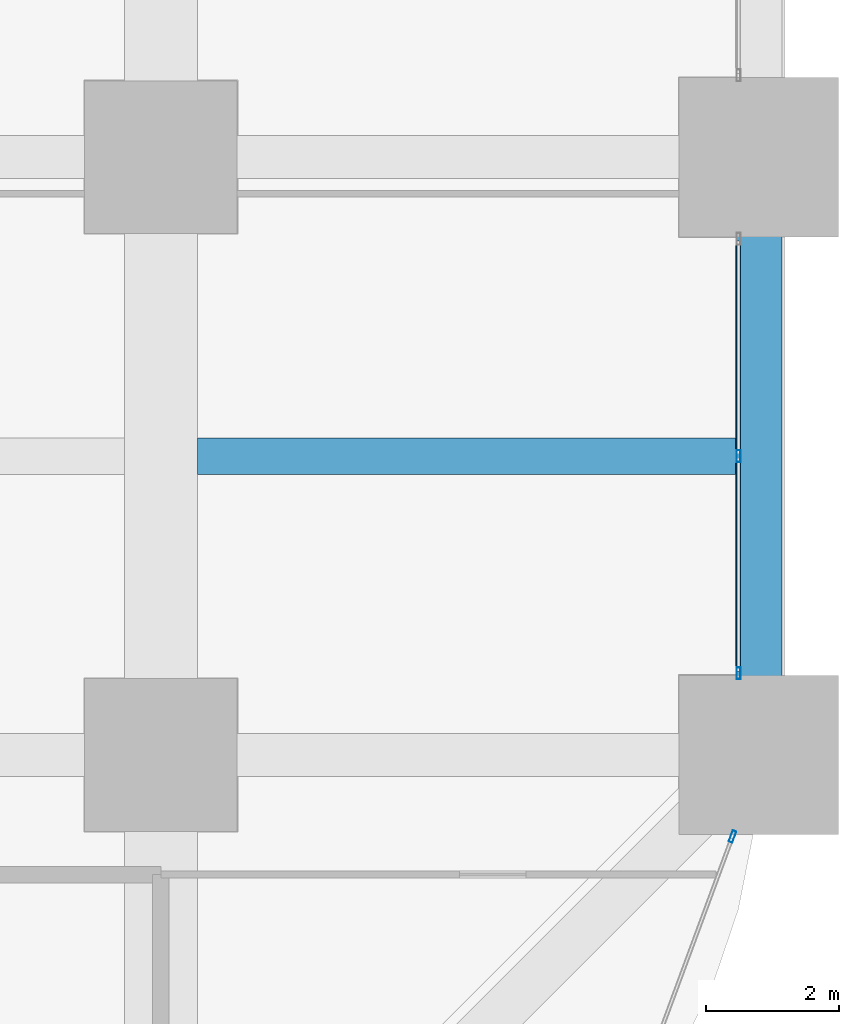
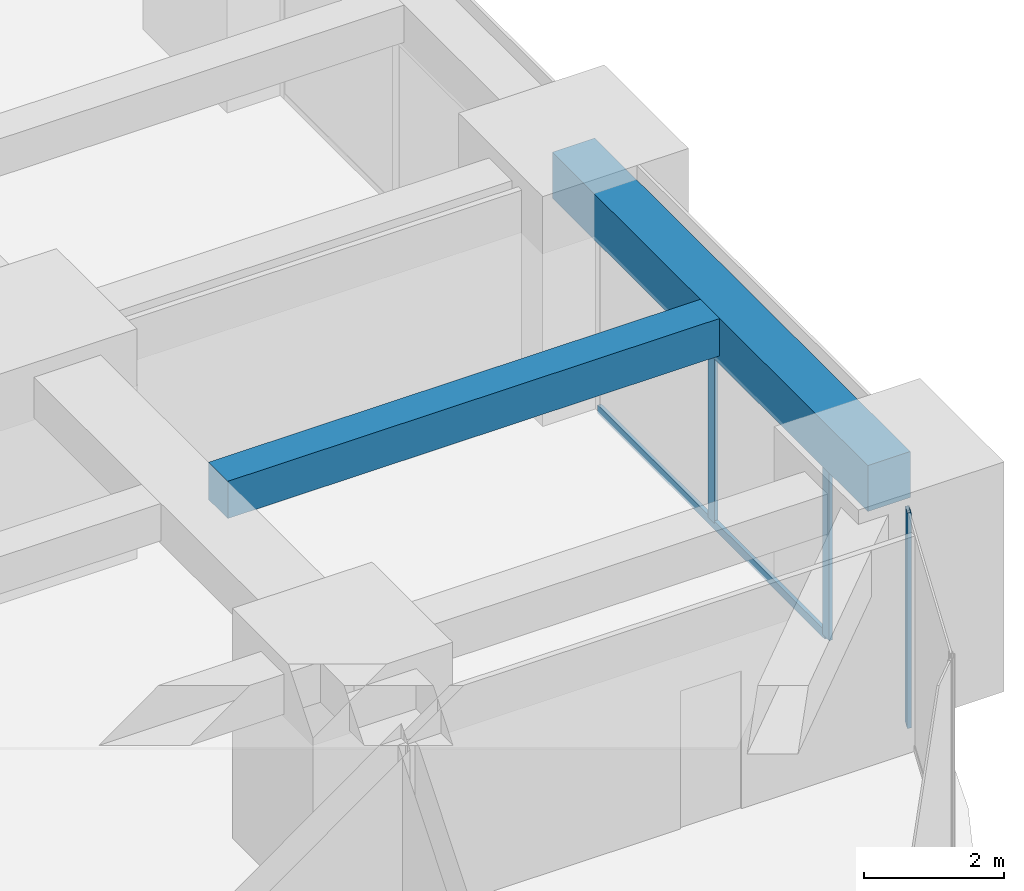
# One storey, part 18 of 44: 4 members, 2 beams, 2 elements without a shape of their own.
"""IFC4 building model written with IfcOpenShell, lengths in metres."""

from ifc_helpers import new_model, si_unit, direction, frame, origin, origin_2d, place, context, subcontext, project, spatial, rectangle, hollow_rectangle, extrude, material, material_profile, profile_set, type_object, element, aggregate, save


model = new_model("IFC4")

# Units and contexts
model_context = context("Model", 3, precision=1e-05, world=origin(), true_north=direction((0.0, 1.0)))
body_context = subcontext(model_context, "Body", "Model", "MODEL_VIEW")
ifc_project = project(units=[si_unit("LENGTHUNIT", "METRE"), si_unit("AREAUNIT", "SQUARE_METRE"), si_unit("VOLUMEUNIT", "CUBIC_METRE"), si_unit("PLANEANGLEUNIT", "RADIAN"), si_unit("MASSUNIT", "GRAM", prefix="KILO")], contexts=[model_context])

# Site, building, storey
site_placement = place(None, origin())
site = spatial("IfcSite", under=ifc_project, at=site_placement, CompositionType="ELEMENT")
building_placement = place(site_placement, origin())
building = spatial("IfcBuilding", under=site, at=building_placement, Name="Zorevar Civic Tower", CompositionType="ELEMENT")
storey_placement = place(building_placement, frame((0.0, 0.0, 31.800048828125)))
storey = spatial("IfcBuildingStorey", under=building, at=storey_placement, Name="L07", CompositionType="ELEMENT", Elevation=31.800048828125)

# Beam
ifc_material_1 = material(Name="Concrete C50/60", Category="concrete")
ifc_material_profile_1 = material_profile(ifc_material_1, rectangle(XDim=0.550048828125, YDim=0.64990234375, at=origin_2d()), Name="RC 550x650")
ifc_profile_set_1 = profile_set([ifc_material_profile_1], Name="Concrete C50/60")
beam_type_1 = type_object("IfcBeamType", Name="Beam RC 550x650", PredefinedType="BEAM", material=ifc_profile_set_1)
beam_1_placement = place(storey_placement, frame((54.550048828125, 13.5, 3.425048828125), z_axis=(1.0, 0.0, 0.0), x_axis=(0.0, 1.0, 0.0)))
element("IfcBeam", 1, at=beam_1_placement, inside=storey, type_object=beam_type_1, Name="Secondary beam L08", PredefinedType="BEAM", context=body_context, shape_type="SweptSolid", body=[
    extrude(rectangle(XDim=0.550048828125, YDim=0.64990234375, at=origin_2d()), origin(), (0.0, 0.0, 1.0), 8.099853515625),
])

# Curtain wall, members
ifc_material_2 = material(Name="Dark grey solar-control glass in black aluminium frame", Category="aluminium")
curtain_wall_type = type_object("IfcCurtainWallType", Name="Curtain wall CW2 low zone", PredefinedType="NOTDEFINED", material=ifc_material_2)
curtain_wall_1_placement = place(storey_placement, origin())
curtain_wall_1 = element("IfcCurtainWall", 2, at=curtain_wall_1_placement, inside=storey, type_object=curtain_wall_type, Name="CW2 L07", PredefinedType="NOTDEFINED")
ifc_material_3 = material(Name="Aluminium, black anodised", Category="aluminium")
ifc_material_profile_2 = material_profile(ifc_material_3, hollow_rectangle(XDim=0.06005859375, YDim=0.179931640625, WallThickness=0.00390625, at=origin_2d()), Name="AL 180x60x4")
ifc_profile_set_2 = profile_set([ifc_material_profile_2], Name="Aluminium, black anodised")
member_type_1 = type_object("IfcMemberType", Name="CW2 mullion AL 180x60x4", PredefinedType="MULLION", material=ifc_profile_set_2)
member_1_placement = place(storey_placement, frame((62.699951171875, 10.22998046875, 0.0), z_axis=(0.0, 0.0, 1.0), x_axis=(-1.0, 0.0, 0.0)))
member_1 = element("IfcMember", 3, at=member_1_placement, type_object=member_type_1, Name="CW2 mullion 1", PredefinedType="MULLION", context=body_context, shape_type="SweptSolid", body=[
    extrude(hollow_rectangle(XDim=0.06005859375, YDim=0.179931640625, WallThickness=0.00390625, at=origin_2d()), origin(), (0.0, 0.0, 1.0), 2.949951171875),
])
member_2_placement = place(storey_placement, frame((62.699951171875, 13.5, 0.06005859375), z_axis=(0.0, 0.0, 1.0), x_axis=(-1.0, 0.0, 0.0)))
member_2 = element("IfcMember", 4, at=member_2_placement, type_object=member_type_1, Name="CW2 mullion 2", PredefinedType="MULLION", context=body_context, shape_type="SweptSolid", body=[
    extrude(hollow_rectangle(XDim=0.06005859375, YDim=0.179931640625, WallThickness=0.00390625, at=origin_2d()), origin(), (0.0, 0.0, 1.0), 2.889892578125),
])

# Curtain wall, member
curtain_wall_2_placement = place(storey_placement, origin())
curtain_wall_2 = element("IfcCurtainWall", 5, at=curtain_wall_2_placement, inside=storey, type_object=curtain_wall_type, Name="CW2 L07", PredefinedType="NOTDEFINED")
member_3_placement = place(storey_placement, frame((62.6064453125, 7.77197265625, 0.0), z_axis=(0.0, 0.0, 1.0), x_axis=(-0.937974588163, 0.346704012033, 0.0)))
member_3 = element("IfcMember", 6, at=member_3_placement, type_object=member_type_1, Name="CW2 mullion 2", PredefinedType="MULLION", context=body_context, shape_type="SweptSolid", body=[
    extrude(hollow_rectangle(XDim=0.06005859375, YDim=0.179931640625, WallThickness=0.00390625, at=origin_2d()), origin(), (0.0, 0.0, 1.0), 3.75),
])
aggregate(curtain_wall_2, [member_3])

# Member
ifc_material_4 = material(Name="Aluminium, black anodised", Category="aluminium")
ifc_material_profile_3 = material_profile(ifc_material_4, hollow_rectangle(XDim=0.06005859375, YDim=0.14990234375, WallThickness=0.00390625, at=origin_2d()), Name="AL 150x60x4")
ifc_profile_set_3 = profile_set([ifc_material_profile_3], Name="Aluminium, black anodised")
member_type_2 = type_object("IfcMemberType", Name="CW2 transom AL 150x60x4", PredefinedType="USERDEFINED", material=ifc_profile_set_3)
member_4_placement = place(storey_placement, frame((62.699951171875, 10.260009765625, 0.030029296875), z_axis=(0.0, 1.0, 0.0), x_axis=(-1.0, 0.0, 0.0)))
member_4 = element("IfcMember", 7, at=member_4_placement, type_object=member_type_2, Name="CW2 sill transom", ObjectType="TRANSOM", PredefinedType="USERDEFINED", context=body_context, shape_type="SweptSolid", body=[
    extrude(hollow_rectangle(XDim=0.06005859375, YDim=0.14990234375, WallThickness=0.00390625, at=origin_2d()), origin(), (0.0, 0.0, 1.0), 6.47998046875),
])

aggregate(curtain_wall_1, [member_1, member_2, member_4])

# Beam
ifc_material_5 = material(Name="Concrete C50/60", Category="concrete")
ifc_material_profile_4 = material_profile(ifc_material_5, rectangle(XDim=0.699951171875, YDim=0.800048828125, at=origin_2d()), Name="RC 700x800")
ifc_profile_set_4 = profile_set([ifc_material_profile_4], Name="Concrete C50/60")
beam_type_2 = type_object("IfcBeamType", Name="Edge beam RC 700x800", PredefinedType="SPANDREL", material=ifc_profile_set_4)
beam_2_placement = place(storey_placement, frame((63.0, 9.0, 3.349853515625), z_axis=(0.0, 1.0, 0.0), x_axis=(-1.0, 0.0, 0.0)))
element("IfcBeam", 8, at=beam_2_placement, inside=storey, type_object=beam_type_2, Name="Edge beam L08", PredefinedType="SPANDREL", context=body_context, shape_type="SweptSolid", body=[
    extrude(rectangle(XDim=0.699951171875, YDim=0.800048828125, at=origin_2d()), origin(), (0.0, 0.0, 1.0), 9.0),
])

save(model, "model.ifc")
